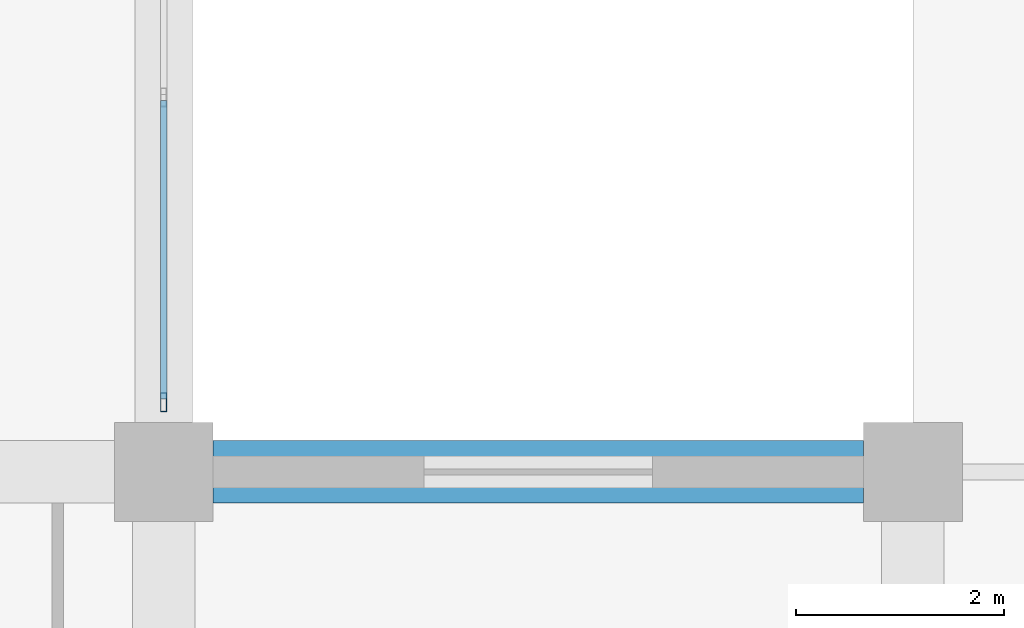
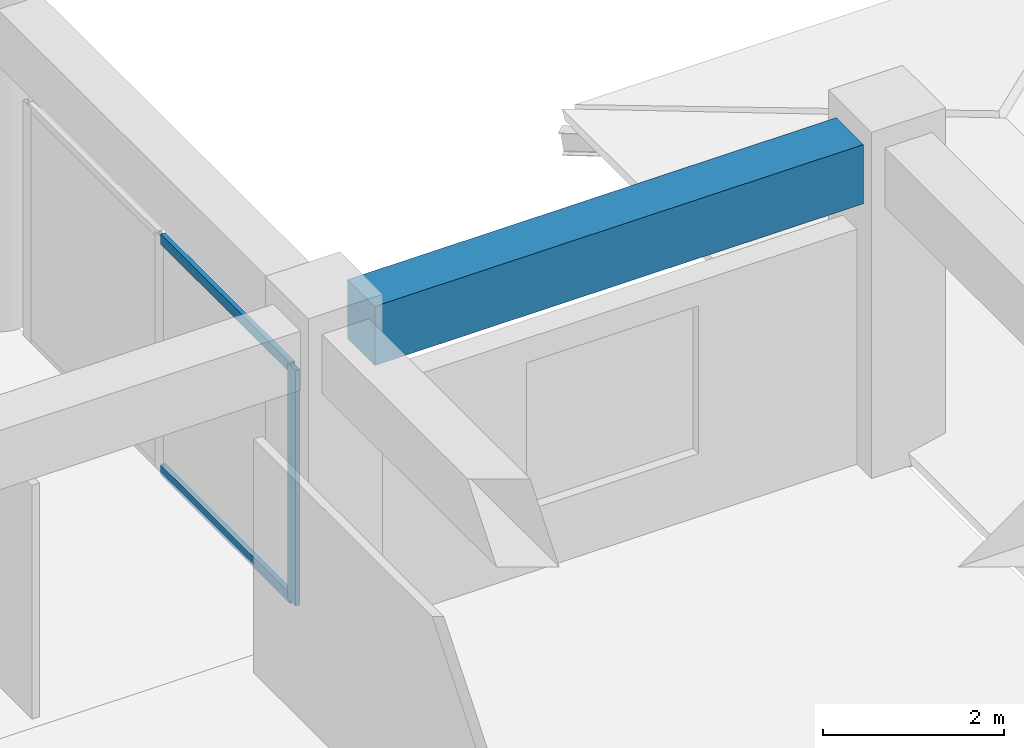
# One storey, part 20 of 54: 3 members, 1 beam, 1 element without a shape of its own.
"""IFC4 building model written with IfcOpenShell, lengths in metres."""

from ifc_helpers import new_model, si_unit, direction, frame, origin, origin_2d, place, context, subcontext, project, spatial, rectangle, hollow_rectangle, extrude, material, material_profile, profile_set, type_object, element, aggregate, save


model = new_model("IFC4")

# Units and contexts
model_context = context("Model", 3, precision=1e-05, world=origin(), true_north=direction((0.0, 1.0)))
body_context = subcontext(model_context, "Body", "Model", "MODEL_VIEW")
ifc_project = project(units=[si_unit("LENGTHUNIT", "METRE"), si_unit("AREAUNIT", "SQUARE_METRE"), si_unit("VOLUMEUNIT", "CUBIC_METRE"), si_unit("PLANEANGLEUNIT", "RADIAN"), si_unit("MASSUNIT", "GRAM", prefix="KILO")], contexts=[model_context])

# Site, building, storey
site_placement = place(None, origin())
site = spatial("IfcSite", under=ifc_project, at=site_placement, CompositionType="ELEMENT")
building_placement = place(site_placement, origin())
building = spatial("IfcBuilding", under=site, at=building_placement, Name="Kazehaya Institute of Natural Sciences", CompositionType="ELEMENT")
storey_placement = place(building_placement, frame((0.0, 0.0, 10.43994140625)))
storey = spatial("IfcBuildingStorey", under=building, at=storey_placement, Name="L02", CompositionType="ELEMENT", Elevation=10.43994140625)

# Beam
ifc_material_1 = material(Name="Concrete Fc36", Category="concrete")
ifc_material_profile_1 = material_profile(ifc_material_1, rectangle(XDim=0.60009765625, YDim=0.800048828125, at=origin_2d()), Name="RC-600x800")
ifc_profile_set_1 = profile_set([ifc_material_profile_1], Name="Concrete Fc36")
beam_type = type_object("IfcBeamType", Name="BM-G-600x800", PredefinedType="BEAM", material=ifc_profile_set_1)
beam_placement = place(storey_placement, frame((112.675048828125, 35.60009765625, 4.010009765625), z_axis=(1.0, 0.0, 0.0), x_axis=(0.0, 1.0, 0.0)))
element("IfcBeam", 1, at=beam_placement, inside=storey, type_object=beam_type, Name="L02 primary X girder BMX-L02-1122-356", PredefinedType="BEAM", context=body_context, shape_type="SweptSolid", body=[
    extrude(rectangle(XDim=0.60009765625, YDim=0.800048828125, at=origin_2d()), origin(), (0.0, 0.0, 1.0), 6.25),
])

# Curtain wall, members
ifc_material_2 = material(Name="Aluminium alloy A6063S-T5", Category="aluminium")
curtain_wall_type = type_object("IfcCurtainWallType", Name="CW-SYS-03", PredefinedType="NOTDEFINED", material=ifc_material_2)
curtain_wall_placement = place(storey_placement, origin())
curtain_wall = element("IfcCurtainWall", 2, at=curtain_wall_placement, inside=storey, type_object=curtain_wall_type, Name="L02 unitised curtain wall CW-L02-024", PredefinedType="NOTDEFINED")
ifc_material_profile_2 = material_profile(ifc_material_2, hollow_rectangle(XDim=0.06005859375, YDim=0.179931640625, WallThickness=0.00390625, at=origin_2d()), Name="ALU-60x180x4")
ifc_profile_set_2 = profile_set([ifc_material_profile_2], Name="Aluminium alloy A6063S-T5")
member_type_1 = type_object("IfcMemberType", Name="CWM-180", PredefinedType="MULLION", material=ifc_profile_set_2)
member_1_placement = place(storey_placement, frame((112.199951171875, 36.27001953125, 0.0), z_axis=(0.0, 0.0, 1.0), x_axis=(1.0, 0.0, 0.0)))
member_1 = element("IfcMember", 3, at=member_1_placement, type_object=member_type_1, Name="CW03 mullion 3", PredefinedType="MULLION", context=body_context, shape_type="SweptSolid", body=[
    extrude(hollow_rectangle(XDim=0.06005859375, YDim=0.179931640625, WallThickness=0.00390625, at=origin_2d()), origin(), (0.0, 0.0, 1.0), 3.18017578125),
])
ifc_material_profile_3 = material_profile(ifc_material_2, hollow_rectangle(XDim=0.06005859375, YDim=0.139892578125, WallThickness=0.00341796875, at=origin_2d()), Name="ALU-60x140x3.5")
ifc_profile_set_3 = profile_set([ifc_material_profile_3], Name="Aluminium alloy A6063S-T5")
member_type_2 = type_object("IfcMemberType", Name="CWT-140", PredefinedType="USERDEFINED", material=ifc_profile_set_3)
member_2_placement = place(storey_placement, frame((112.199951171875, 39.169921875, 0.030029296875), z_axis=(0.0, -1.0, 0.0), x_axis=(1.0, 0.0, 0.0)))
member_2 = element("IfcMember", 4, at=member_2_placement, type_object=member_type_2, Name="CW03 transom 2.1", ObjectType="TRANSOM", PredefinedType="USERDEFINED", context=body_context, shape_type="SweptSolid", body=[
    extrude(hollow_rectangle(XDim=0.06005859375, YDim=0.139892578125, WallThickness=0.00341796875, at=origin_2d()), origin(), (0.0, 0.0, 1.0), 2.869873046875),
])
member_3_placement = place(storey_placement, frame((112.199951171875, 39.169921875, 3.150146484375), z_axis=(0.0, -1.0, 0.0), x_axis=(1.0, 0.0, 0.0)))
member_3 = element("IfcMember", 5, at=member_3_placement, type_object=member_type_2, Name="CW03 transom 2.2", ObjectType="TRANSOM", PredefinedType="USERDEFINED", context=body_context, shape_type="SweptSolid", body=[
    extrude(hollow_rectangle(XDim=0.06005859375, YDim=0.139892578125, WallThickness=0.00341796875, at=origin_2d()), origin(), (0.0, 0.0, 1.0), 2.869873046875),
])
aggregate(curtain_wall, [member_1, member_2, member_3])

save(model, "model.ifc")
